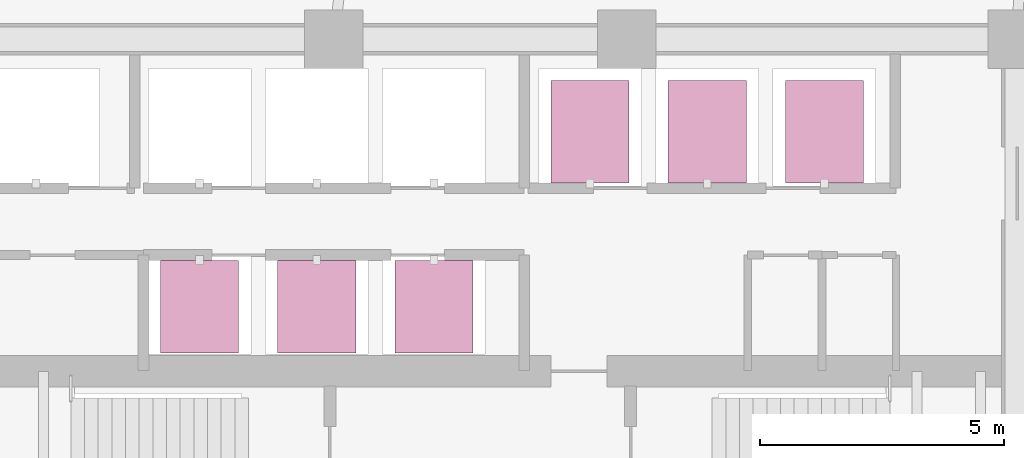
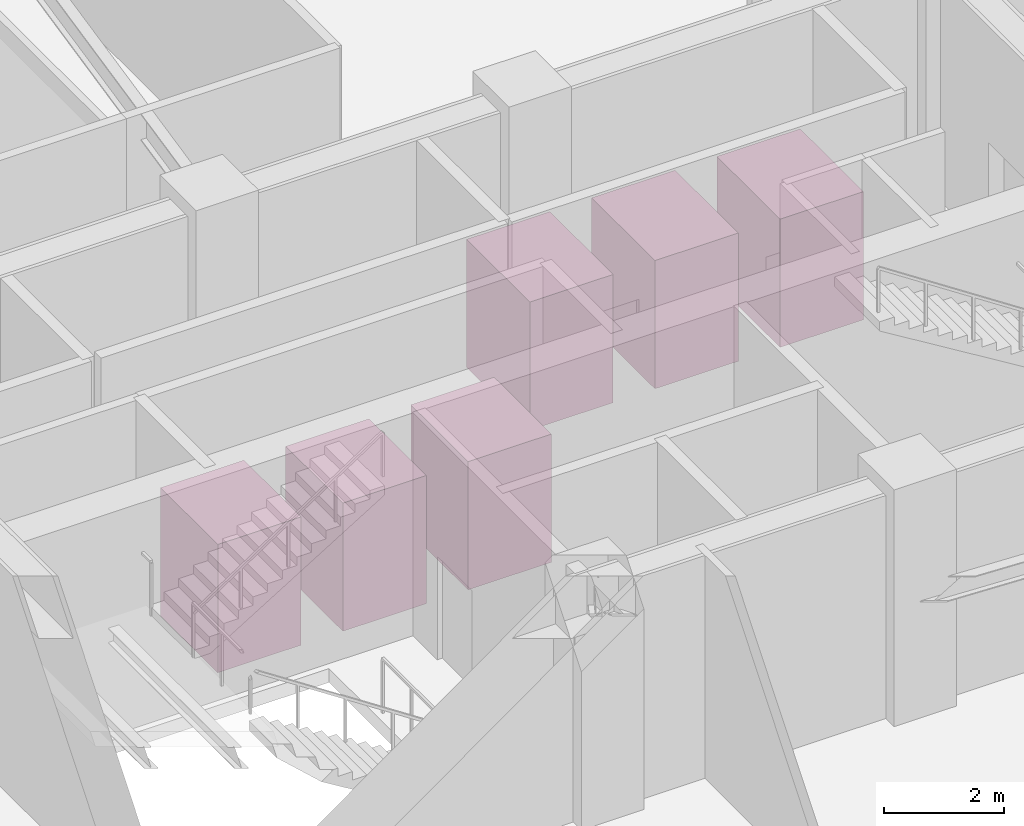
# One storey, part 35 of 35: 6 transport elements.
"""IFC4 building model written with IfcOpenShell, lengths in metres."""

import ifcopenshell
import ifcopenshell.guid

model = None  # the IFC model being written
_history = None  # IfcOwnerHistory: only IFC2X3 demands one
_inside = {}  # id of a spatial element -> (the spatial element, [elements in it])
_under = {}  # id of a project, library or spatial element -> (it, [spatial elements below it])
_declared = {}  # id of a project -> (the project, [libraries it declares])
_typed = {}  # id of a type object -> (the type object, [elements of that type])
_made_of = {}  # id of a material, layer set ... -> (it, [elements and type objects made of it])


def new_model(schema):
    """Start an empty IFC model of exactly this schema.

    Asked for "IFC4X3", IfcOpenShell would pick the latest addendum, in which some entities
    have other attributes; the version numbers below select the first issue.
    IFC2X3 requires an IfcOwnerHistory on every rooted entity: one is made here for all.
    """
    global model, _history
    if schema == "IFC4X3":
        model = ifcopenshell.file(schema_version=(4, 3, 0, 0))
    else:
        model = ifcopenshell.file(schema=schema)
    _inside.clear()
    _under.clear()
    _declared.clear()
    _typed.clear()
    _made_of.clear()
    _history = None
    if model.schema == "IFC2X3":
        org = make("IfcOrganization", Name="unknown")
        user = make(
            "IfcPersonAndOrganization",
            ThePerson=make("IfcPerson", FamilyName="unknown"),
            TheOrganization=org,
        )
        app = make(
            "IfcApplication",
            ApplicationDeveloper=org,
            Version="unknown",
            ApplicationFullName="unknown",
            ApplicationIdentifier="unknown",
        )
        _history = make(
            "IfcOwnerHistory",
            OwningUser=user,
            OwningApplication=app,
            ChangeAction="ADDED",
            CreationDate=0,
        )
    return model


def make(cls, **values):
    """One entity of the class cls with the attributes given. An attribute that is None is left unset."""
    return model.create_entity(
        cls, **{name: value for name, value in values.items() if value is not None}
    )


def rooted(cls, **values):
    """An entity with a GlobalId (a new one), such as an element, a storey or a relation."""
    return make(cls, GlobalId=ifcopenshell.guid.new(), OwnerHistory=_history, **values)


def si_unit(unit_type, name, prefix=None):
    """IfcSIUnit, for example si_unit("LENGTHUNIT", "METRE", prefix="MILLI")."""
    return make("IfcSIUnit", UnitType=unit_type, Prefix=prefix, Name=name)


def assignment(units):
    """IfcUnitAssignment: the units of a project."""
    return None if units is None else make("IfcUnitAssignment", Units=units)


def point(xyz):
    """IfcCartesianPoint."""
    return None if xyz is None else make("IfcCartesianPoint", Coordinates=xyz)


def direction(xyz):
    """IfcDirection."""
    return None if xyz is None else make("IfcDirection", DirectionRatios=xyz)


def frame(location, z_axis=None, x_axis=None):
    """IfcAxis2Placement3D, a coordinate frame: its origin and axes. An axis left out is left unset."""
    return make(
        "IfcAxis2Placement3D",
        Location=point(location),
        Axis=direction(z_axis),
        RefDirection=direction(x_axis),
    )


def frame_2d(location, x_axis=None):
    """IfcAxis2Placement2D, a coordinate frame in the plane: its origin and x axis."""
    return make(
        "IfcAxis2Placement2D", Location=point(location), RefDirection=direction(x_axis)
    )


def origin():
    """The frame at (0, 0, 0) with its axes left unset."""
    return frame((0.0, 0.0, 0.0))


def origin_2d():
    """The frame at (0, 0) in the plane with its x axis left unset."""
    return frame_2d((0.0, 0.0))


def place(relative_to, where):
    """IfcLocalPlacement: puts the frame where relative to a parent placement (None: the world)."""
    return make(
        "IfcLocalPlacement", PlacementRelTo=relative_to, RelativePlacement=where
    )


def context(
    kind, dimensions, precision=None, world=None, true_north=None, identifier=None
):
    """IfcGeometricRepresentationContext, for example the 3D "Model" context."""
    return make(
        "IfcGeometricRepresentationContext",
        ContextIdentifier=identifier,
        ContextType=kind,
        CoordinateSpaceDimension=dimensions,
        Precision=precision,
        WorldCoordinateSystem=world,
        TrueNorth=true_north,
    )


def subcontext(parent, identifier, kind, view, scale=None):
    """IfcGeometricRepresentationSubContext, for example "Body" below "Model"."""
    return make(
        "IfcGeometricRepresentationSubContext",
        ContextIdentifier=identifier,
        ContextType=kind,
        ParentContext=parent,
        TargetScale=scale,
        TargetView=view,
    )


def project(units=None, contexts=None):
    """IfcProject with its units and contexts."""
    return rooted(
        "IfcProject",
        Name="project",
        RepresentationContexts=contexts,
        UnitsInContext=assignment(units),
    )


def spatial(cls, under=None, at=None, **own):
    """A site, building, storey or space (cls), placed at a placement, below another one or the project."""
    s = rooted(cls, ObjectPlacement=at, **own)
    if under is not None:
        _under.setdefault(under.id(), (under, []))[1].append(s)
    return s


def profile(cls, at=None, kind="AREA", **sizes):
    """A parametric profile (cls). Its sizes go by their IFC names, for example OverallWidth=200.0."""
    return make(cls, ProfileType=kind, Position=at, **sizes)


def rectangle(**sizes):
    """IfcRectangleProfileDef."""
    return profile("IfcRectangleProfileDef", **sizes)


def extrude(swept, where, along, depth):
    """IfcExtrudedAreaSolid: the profile swept, set in the frame where, extruded along a direction by depth."""
    return make(
        "IfcExtrudedAreaSolid",
        SweptArea=swept,
        Position=where,
        ExtrudedDirection=direction(along),
        Depth=depth,
    )


def shape(context_of_items, identifier, shape_type, items):
    """IfcShapeRepresentation: the items that make up one representation, for example the "Body"."""
    return make(
        "IfcShapeRepresentation",
        ContextOfItems=context_of_items,
        RepresentationIdentifier=identifier,
        RepresentationType=shape_type,
        Items=items,
    )


def material(Name=None, Category=None):
    """IfcMaterial."""
    return make("IfcMaterial", Name=Name, Category=Category)


def made_of(thing, what):
    """Note that an element or type object is made of a material, layer set ...; save() writes the relation."""
    if what is not None:
        _made_of.setdefault(what.id(), (what, []))[1].append(thing)
    return thing


def type_object(cls, material=None, **own):
    """A type object (cls), such as IfcWallType, which elements share."""
    return made_of(rooted(cls, **own), material)


def element(
    cls,
    number,
    at=None,
    inside=None,
    cuts=None,
    type_object=None,
    material=None,
    context=None,
    identifier="Body",
    shape_type=None,
    held_by="IfcProductDefinitionShape",
    body=None,
    shapes=None,
    **own,
):
    """One element of the class cls, such as IfcWall. Its Tag is "e" and its number.

    at: its placement. inside: the storey or other place that contains it. cuts: it is an
    opening in that element (IfcRelVoidsElement). A single representation is given by context,
    identifier, shape_type and body (its items); several are given by shapes. held_by: the class
    of the entity that holds the representations. save() writes the other relations.
    """
    e = rooted(cls, Tag="e%d" % number, ObjectPlacement=at, **own)
    if body is not None:
        shapes = [shape(context, identifier, shape_type, body)]
    if shapes is not None:
        e.Representation = make(held_by, Representations=shapes)
    if inside is not None:
        _inside.setdefault(inside.id(), (inside, []))[1].append(e)
    if cuts is not None:
        rooted(
            "IfcRelVoidsElement", RelatingBuildingElement=cuts, RelatedOpeningElement=e
        )
    if type_object is not None:
        _typed.setdefault(type_object.id(), (type_object, []))[1].append(e)
    return made_of(e, material)


def aggregate(whole, parts):
    """IfcRelAggregates: a whole, such as a stair, and the parts it consists of."""
    return rooted("IfcRelAggregates", RelatingObject=whole, RelatedObjects=parts)


def save(model, path):
    """Write the relations noted so far, then the file.

    IfcRelAggregates (storeys below a building ...), IfcRelContainedInSpatialStructure (elements
    in a storey), IfcRelDefinesByType, IfcRelAssociatesMaterial and IfcRelDeclares: one each for
    every whole, place, type object, material and project.
    """
    for whole, parts in _under.values():
        aggregate(whole, parts)
    for where, things in _inside.values():
        rooted(
            "IfcRelContainedInSpatialStructure",
            RelatedElements=things,
            RelatingStructure=where,
        )
    for kind, things in _typed.values():
        rooted("IfcRelDefinesByType", RelatedObjects=things, RelatingType=kind)
    for what, things in _made_of.values():
        rooted("IfcRelAssociatesMaterial", RelatedObjects=things, RelatingMaterial=what)
    for by, libraries in _declared.values():
        rooted("IfcRelDeclares", RelatingContext=by, RelatedDefinitions=libraries)
    model.write(path)


model = new_model("IFC4")

# Units and contexts
model_context = context("Model", 3, precision=1e-05, world=origin(), true_north=direction((0.0, 1.0)))
body_context = subcontext(model_context, "Body", "Model", "MODEL_VIEW")
ifc_project = project(units=[si_unit("LENGTHUNIT", "METRE"), si_unit("AREAUNIT", "SQUARE_METRE"), si_unit("VOLUMEUNIT", "CUBIC_METRE"), si_unit("PLANEANGLEUNIT", "RADIAN"), si_unit("MASSUNIT", "GRAM", prefix="KILO")], contexts=[model_context])

# Site, building, storey
site_placement = place(None, origin())
site = spatial("IfcSite", under=ifc_project, at=site_placement, CompositionType="ELEMENT")
building_placement = place(site_placement, origin())
building = spatial("IfcBuilding", under=site, at=building_placement, Name="Kazevale Care Tower and Concert Hall", CompositionType="ELEMENT")
storey_placement = place(building_placement, origin())
storey = spatial("IfcBuildingStorey", under=building, at=storey_placement, Name="L00", CompositionType="ELEMENT", Elevation=0.0)

# Transport elements
ifc_material = material(Name="Stainless Steel 316", Category="steel")
transport_element_type_1 = type_object("IfcTransportElementType", Name="High-Rise Passenger Elevator Car 1600x1900", PredefinedType="ELEVATOR", material=ifc_material)
for number, where, z_axis, x_axis, name in (
    (1, (27.25, 30.919921875, 0.0), (0.0, 0.0, 1.0), (1.0, 0.0, 0.0), "Elevator PH-1"),
    (2, (29.64990234375, 30.919921875, 0.0), (0.0, 0.0, 1.0), (1.0, 0.0, 0.0), "Elevator PH-2"),
    (3, (32.050048828125, 30.919921875, 0.0), (0.0, 0.0, 1.0), (1.0, 0.0, 0.0), "Elevator PH-3"),
):
    element("IfcTransportElement", number, at=place(storey_placement, frame(where, z_axis=z_axis, x_axis=x_axis)), inside=storey, type_object=transport_element_type_1, Name=name, PredefinedType="ELEVATOR", context=body_context, shape_type="SweptSolid", body=[
        extrude(rectangle(XDim=1.60009765625, YDim=1.89990234375, at=origin_2d()), origin(), (0.0, 0.0, 1.0), 2.60009765625),
    ])
transport_element_type_2 = type_object("IfcTransportElementType", Name="Passenger Elevator Car 1600x2100", PredefinedType="ELEVATOR", material=ifc_material)
for number, where, z_axis, x_axis, name in (
    (4, (35.25, 34.510009765625, 0.0), (0.0, 0.0, 1.0), (1.0, 0.0, 0.0), "Elevator PM-1"),
    (5, (37.64990234375, 34.510009765625, 0.0), (0.0, 0.0, 1.0), (1.0, 0.0, 0.0), "Elevator PM-2"),
    (6, (40.050048828125, 34.510009765625, 0.0), (0.0, 0.0, 1.0), (1.0, 0.0, 0.0), "Elevator PM-3"),
):
    element("IfcTransportElement", number, at=place(storey_placement, frame(where, z_axis=z_axis, x_axis=x_axis)), inside=storey, type_object=transport_element_type_2, Name=name, PredefinedType="ELEVATOR", context=body_context, shape_type="SweptSolid", body=[
        extrude(rectangle(XDim=1.60009765625, YDim=2.10009765625, at=origin_2d()), origin(), (0.0, 0.0, 1.0), 2.60009765625),
    ])

save(model, "model.ifc")
